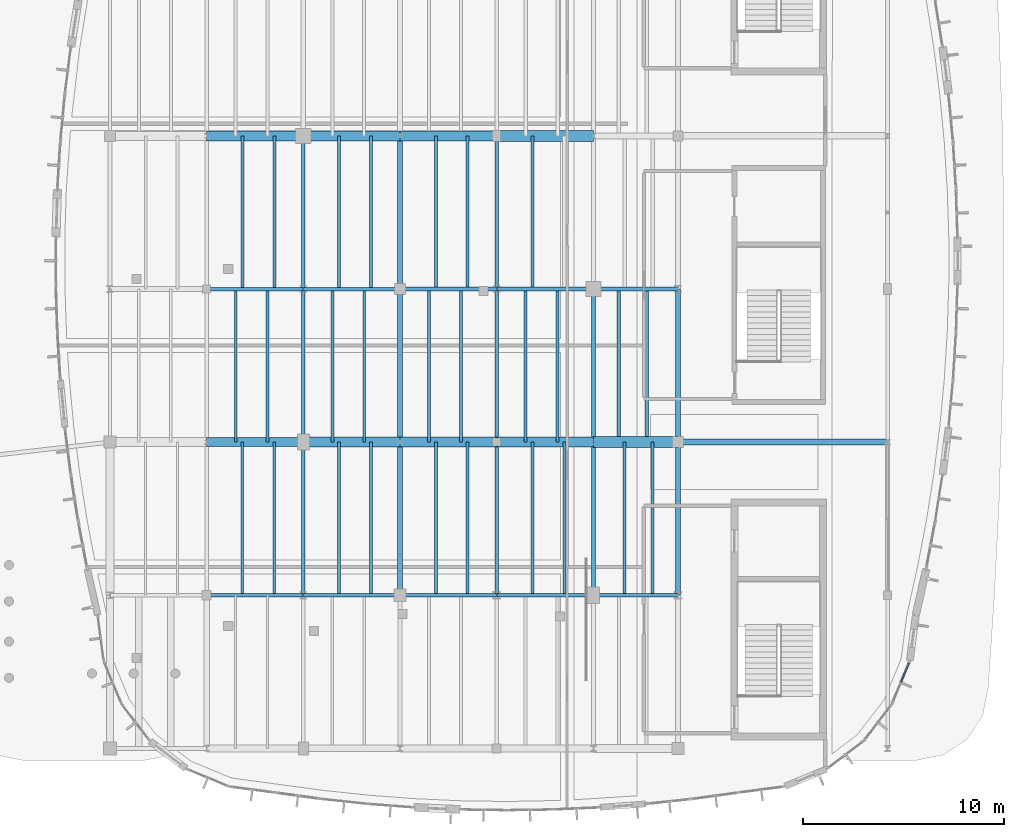
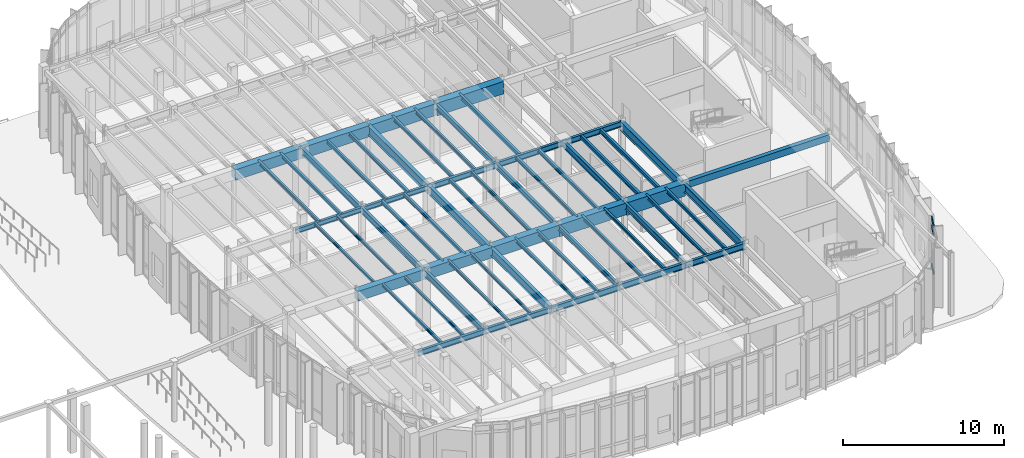
# One storey, part 58 of 120: 60 beams, 3 members, 1 element without a shape of its own.
"""IFC4 building model written with IfcOpenShell, lengths in metres."""

from ifc_helpers import new_model, si_unit, direction, frame, origin, origin_2d, place, context, subcontext, project, spatial, rectangle, i_section, extrude, material, material_profile, profile_set, type_object, element, aggregate, save


model = new_model("IFC4")

# Units and contexts
model_context = context("Model", 3, precision=1e-05, world=origin(), true_north=direction((0.0, 1.0)))
body_context = subcontext(model_context, "Body", "Model", "MODEL_VIEW")
ifc_project = project(units=[si_unit("LENGTHUNIT", "METRE"), si_unit("AREAUNIT", "SQUARE_METRE"), si_unit("VOLUMEUNIT", "CUBIC_METRE"), si_unit("PLANEANGLEUNIT", "RADIAN"), si_unit("MASSUNIT", "GRAM", prefix="KILO")], contexts=[model_context])

# Site, building, storey
site_placement = place(None, origin())
site = spatial("IfcSite", under=ifc_project, at=site_placement, CompositionType="ELEMENT")
building_placement = place(site_placement, origin())
building = spatial("IfcBuilding", under=site, at=building_placement, Name="Corveleigh Park Community Centre", CompositionType="ELEMENT")
storey_placement = place(building_placement, origin())
storey = spatial("IfcBuildingStorey", under=building, at=storey_placement, Name="L00", CompositionType="ELEMENT", Elevation=0.0)

# Beams
ifc_material_1 = material(Name="Concrete C40/50", Category="concrete")
ifc_material_profile_1 = material_profile(ifc_material_1, rectangle(XDim=0.300048828125, YDim=0.5, at=origin_2d()), Name="RC-300x500", Category="concrete")
ifc_profile_set_1 = profile_set([ifc_material_profile_1], Name="Concrete C40/50")
beam_type_1 = type_object("IfcBeamType", Name="BM-RC-300x500", PredefinedType="BEAM", material=ifc_profile_set_1)
beam_1_placement = place(storey_placement, frame((158.0048828125, 73.800048828125, 4.277099609375), z_axis=(1.0, 0.0, 0.0), x_axis=(0.0, 1.0, 0.0)))
element("IfcBeam", 1, at=beam_1_placement, inside=storey, type_object=beam_type_1, Name="V4 Girder X", PredefinedType="BEAM", context=body_context, shape_type="SweptSolid", body=[
    extrude(rectangle(XDim=0.300048828125, YDim=0.5, at=origin_2d()), origin(), (0.0, 0.0, 1.0), 10.39013671875),
])
ifc_material_profile_2 = material_profile(ifc_material_1, rectangle(XDim=0.449951171875, YDim=0.75, at=origin_2d()), Name="RC-450x750", Category="concrete")
ifc_profile_set_2 = profile_set([ifc_material_profile_2], Name="Concrete C40/50")
beam_type_2 = type_object("IfcBeamType", Name="BM-RC-450x750", PredefinedType="BEAM", material=ifc_profile_set_2)
beam_2_placement = place(storey_placement, frame((134.60498046875, 73.800048828125, 4.152099609375), z_axis=(1.0, 0.0, 0.0), x_axis=(0.0, 1.0, 0.0)))
element("IfcBeam", 2, at=beam_2_placement, inside=storey, type_object=beam_type_2, Name="V4 Girder X", PredefinedType="BEAM", context=body_context, shape_type="SweptSolid", body=[
    extrude(rectangle(XDim=0.449951171875, YDim=0.75, at=origin_2d()), origin(), (0.0, 0.0, 1.0), 4.7900390625),
])
ifc_material_profile_3 = material_profile(ifc_material_1, rectangle(XDim=0.5, YDim=0.800048828125, at=origin_2d()), Name="RC-500x800", Category="concrete")
ifc_profile_set_3 = profile_set([ifc_material_profile_3], Name="Concrete C40/50")
beam_type_3 = type_object("IfcBeamType", Name="BM-RC-500x800", PredefinedType="BEAM", material=ifc_profile_set_3)
for number, where, z_axis, x_axis, name in (
    (3, (139.405029296875, 73.800048828125, 4.126953125), (1.0, 0.0, 0.0), (0.0, 1.0, 0.0), "V4 Girder X"),
    (4, (134.60498046875, 89.0, 4.126953125), (1.0, 0.0, 0.0), (0.0, 1.0, 0.0), "V4 Girder X"),
):
    element("IfcBeam", number, at=place(storey_placement, frame(where, z_axis=z_axis, x_axis=x_axis)), inside=storey, type_object=beam_type_3, Name=name, PredefinedType="BEAM", context=body_context, shape_type="SweptSolid", body=[
        extrude(rectangle(XDim=0.5, YDim=0.800048828125, at=origin_2d()), origin(), (0.0, 0.0, 1.0), 4.7900390625),
    ])
ifc_material_profile_4 = material_profile(ifc_material_1, rectangle(XDim=0.5, YDim=0.85009765625, at=origin_2d()), Name="RC-500x850", Category="concrete")
ifc_profile_set_4 = profile_set([ifc_material_profile_4], Name="Concrete C40/50")
beam_type_4 = type_object("IfcBeamType", Name="BM-RC-500x850", PredefinedType="BEAM", material=ifc_profile_set_4)
for number, where, z_axis, x_axis, name in (
    (5, (144.205078125, 73.800048828125, 4.10205078125), (1.0, 0.0, 0.0), (0.0, 1.0, 0.0), "V4 Girder X"),
    (6, (139.405029296875, 89.0, 4.10205078125), (1.0, 0.0, 0.0), (0.0, 1.0, 0.0), "V4 Girder X"),
):
    element("IfcBeam", number, at=place(storey_placement, frame(where, z_axis=z_axis, x_axis=x_axis)), inside=storey, type_object=beam_type_4, Name=name, PredefinedType="BEAM", context=body_context, shape_type="SweptSolid", body=[
        extrude(rectangle(XDim=0.5, YDim=0.85009765625, at=origin_2d()), origin(), (0.0, 0.0, 1.0), 4.7900390625),
    ])
ifc_material_profile_5 = material_profile(ifc_material_1, rectangle(XDim=0.5, YDim=0.89990234375, at=origin_2d()), Name="RC-500x900", Category="concrete")
ifc_profile_set_5 = profile_set([ifc_material_profile_5], Name="Concrete C40/50")
beam_type_5 = type_object("IfcBeamType", Name="BM-RC-500x900", PredefinedType="BEAM", material=ifc_profile_set_5)
for number, where, z_axis, x_axis, name in (
    (7, (149.0048828125, 73.800048828125, 4.076904296875), (1.0, 0.0, 0.0), (0.0, 1.0, 0.0), "V4 Girder X"),
    (8, (144.205078125, 89.0, 4.076904296875), (1.0, 0.0, 0.0), (0.0, 1.0, 0.0), "V4 Girder X"),
):
    element("IfcBeam", number, at=place(storey_placement, frame(where, z_axis=z_axis, x_axis=x_axis)), inside=storey, type_object=beam_type_5, Name=name, PredefinedType="BEAM", context=body_context, shape_type="SweptSolid", body=[
        extrude(rectangle(XDim=0.5, YDim=0.89990234375, at=origin_2d()), origin(), (0.0, 0.0, 1.0), 4.7900390625),
    ])
ifc_material_profile_6 = material_profile(ifc_material_1, rectangle(XDim=0.550048828125, YDim=0.949951171875, at=origin_2d()), Name="RC-550x950", Category="concrete")
ifc_profile_set_6 = profile_set([ifc_material_profile_6], Name="Concrete C40/50")
beam_type_6 = type_object("IfcBeamType", Name="BM-RC-550x950", PredefinedType="BEAM", material=ifc_profile_set_6)
beam_3_placement = place(storey_placement, frame((153.804931640625, 73.800048828125, 4.052001953125), z_axis=(1.0, 0.0, 0.0), x_axis=(0.0, 1.0, 0.0)))
element("IfcBeam", 9, at=beam_3_placement, inside=storey, type_object=beam_type_6, Name="V4 Girder X", PredefinedType="BEAM", context=body_context, shape_type="SweptSolid", body=[
    extrude(rectangle(XDim=0.550048828125, YDim=0.949951171875, at=origin_2d()), origin(), (0.0, 0.0, 1.0), 4.190185546875),
])
beam_4_placement = place(storey_placement, frame((149.0048828125, 89.0, 4.052001953125), z_axis=(1.0, 0.0, 0.0), x_axis=(0.0, 1.0, 0.0)))
element("IfcBeam", 10, at=beam_4_placement, inside=storey, type_object=beam_type_6, Name="V4 Girder X", PredefinedType="BEAM", context=body_context, shape_type="SweptSolid", body=[
    extrude(rectangle(XDim=0.550048828125, YDim=0.949951171875, at=origin_2d()), origin(), (0.0, 0.0, 1.0), 4.7900390625),
])
ifc_material_2 = material(Name="Steel S355", Category="steel")
ifc_material_profile_7 = material_profile(ifc_material_2, i_section(OverallWidth=0.13330078125, OverallDepth=0.203125, WebThickness=0.005615234375, FlangeThickness=0.0078125, at=origin_2d()), Name="UKB 203x133x25", Category="steel")
ifc_profile_set_7 = profile_set([ifc_material_profile_7], Name="Steel S355")
beam_type_7 = type_object("IfcBeamType", Name="BM-STL-UKB203x25", PredefinedType="JOIST", material=ifc_profile_set_7)
for number, where, z_axis, x_axis, name in (
    (11, (136.3759765625, 66.205078125, 4.42529296875), (0.0, 1.0, 0.0), (-1.0, 0.0, 0.0), "Secondary floor joist"),
    (12, (137.9599609375, 66.205078125, 4.42529296875), (0.0, 1.0, 0.0), (-1.0, 0.0, 0.0), "Secondary floor joist"),
):
    element("IfcBeam", number, at=place(storey_placement, frame(where, z_axis=z_axis, x_axis=x_axis)), inside=storey, type_object=beam_type_7, Name=name, PredefinedType="JOIST", context=body_context, shape_type="SweptSolid", body=[
        extrude(i_section(OverallWidth=0.13330078125, OverallDepth=0.203125, WebThickness=0.005615234375, FlangeThickness=0.0078125, at=origin_2d()), origin(), (0.0, 0.0, 1.0), 7.58984375),
    ])
ifc_material_profile_8 = material_profile(ifc_material_2, i_section(OverallWidth=0.1337890625, OverallDepth=0.206787109375, WebThickness=0.00634765625, FlangeThickness=0.009521484375, at=origin_2d()), Name="UKB 203x133x30", Category="steel")
ifc_profile_set_8 = profile_set([ifc_material_profile_8], Name="Steel S355")
beam_type_8 = type_object("IfcBeamType", Name="BM-STL-UKB203x30", PredefinedType="JOIST", material=ifc_profile_set_8)
for number, where, z_axis, x_axis, name in (
    (13, (136.0400390625, 73.804931640625, 4.423583984375), (0.0, 1.0, 0.0), (-1.0, 0.0, 0.0), "Secondary floor joist"),
    (14, (137.6240234375, 73.804931640625, 4.423583984375), (0.0, 1.0, 0.0), (-1.0, 0.0, 0.0), "Secondary floor joist"),
):
    element("IfcBeam", number, at=place(storey_placement, frame(where, z_axis=z_axis, x_axis=x_axis)), inside=storey, type_object=beam_type_8, Name=name, PredefinedType="JOIST", context=body_context, shape_type="SweptSolid", body=[
        extrude(i_section(OverallWidth=0.1337890625, OverallDepth=0.206787109375, WebThickness=0.00634765625, FlangeThickness=0.009521484375, at=origin_2d()), origin(), (0.0, 0.0, 1.0), 7.590087890625),
    ])
for number, where, z_axis, x_axis, name in (
    (15, (141.176025390625, 66.205078125, 4.423583984375), (0.0, 1.0, 0.0), (-1.0, 0.0, 0.0), "Secondary floor joist"),
    (16, (142.760009765625, 66.205078125, 4.423583984375), (0.0, 1.0, 0.0), (-1.0, 0.0, 0.0), "Secondary floor joist"),
):
    element("IfcBeam", number, at=place(storey_placement, frame(where, z_axis=z_axis, x_axis=x_axis)), inside=storey, type_object=beam_type_8, Name=name, PredefinedType="JOIST", context=body_context, shape_type="SweptSolid", body=[
        extrude(i_section(OverallWidth=0.1337890625, OverallDepth=0.206787109375, WebThickness=0.00634765625, FlangeThickness=0.009521484375, at=origin_2d()), origin(), (0.0, 0.0, 1.0), 7.58984375),
    ])
ifc_material_profile_9 = material_profile(ifc_material_2, i_section(OverallWidth=0.14599609375, OverallDepth=0.25146484375, WebThickness=0.006103515625, FlangeThickness=0.008544921875, at=origin_2d()), Name="UKB 254x146x31", Category="steel")
ifc_profile_set_9 = profile_set([ifc_material_profile_9], Name="Steel S355")
beam_type_9 = type_object("IfcBeamType", Name="BM-STL-UKB254x31", PredefinedType="JOIST", material=ifc_profile_set_9)
for number, where, z_axis, x_axis, name in (
    (17, (136.3759765625, 81.405029296875, 4.4013671875), (0.0, 1.0, 0.0), (-1.0, 0.0, 0.0), "Secondary floor joist"),
    (18, (137.9599609375, 81.405029296875, 4.4013671875), (0.0, 1.0, 0.0), (-1.0, 0.0, 0.0), "Secondary floor joist"),
    (19, (140.840087890625, 73.804931640625, 4.4013671875), (0.0, 1.0, 0.0), (-1.0, 0.0, 0.0), "Secondary floor joist"),
    (20, (142.424072265625, 73.804931640625, 4.4013671875), (0.0, 1.0, 0.0), (-1.0, 0.0, 0.0), "Secondary floor joist"),
):
    element("IfcBeam", number, at=place(storey_placement, frame(where, z_axis=z_axis, x_axis=x_axis)), inside=storey, type_object=beam_type_9, Name=name, PredefinedType="JOIST", context=body_context, shape_type="SweptSolid", body=[
        extrude(i_section(OverallWidth=0.14599609375, OverallDepth=0.25146484375, WebThickness=0.006103515625, FlangeThickness=0.008544921875, at=origin_2d()), origin(), (0.0, 0.0, 1.0), 7.590087890625),
    ])
for number, where, z_axis, x_axis, name in (
    (21, (145.97607421875, 66.205078125, 4.4013671875), (0.0, 1.0, 0.0), (-1.0, 0.0, 0.0), "Secondary floor joist"),
    (22, (147.56005859375, 66.205078125, 4.4013671875), (0.0, 1.0, 0.0), (-1.0, 0.0, 0.0), "Secondary floor joist"),
):
    element("IfcBeam", number, at=place(storey_placement, frame(where, z_axis=z_axis, x_axis=x_axis)), inside=storey, type_object=beam_type_9, Name=name, PredefinedType="JOIST", context=body_context, shape_type="SweptSolid", body=[
        extrude(i_section(OverallWidth=0.14599609375, OverallDepth=0.25146484375, WebThickness=0.006103515625, FlangeThickness=0.008544921875, at=origin_2d()), origin(), (0.0, 0.0, 1.0), 7.58984375),
    ])
ifc_material_profile_10 = material_profile(ifc_material_2, i_section(OverallWidth=0.146484375, OverallDepth=0.256103515625, WebThickness=0.00634765625, FlangeThickness=0.010986328125, at=origin_2d()), Name="UKB 254x146x37", Category="steel")
ifc_profile_set_10 = profile_set([ifc_material_profile_10], Name="Steel S355")
beam_type_10 = type_object("IfcBeamType", Name="BM-STL-UKB254x37", PredefinedType="JOIST", material=ifc_profile_set_10)
for number, where, z_axis, x_axis, name in (
    (23, (141.176025390625, 81.405029296875, 4.39892578125), (0.0, 1.0, 0.0), (-1.0, 0.0, 0.0), "Secondary floor joist"),
    (24, (142.760009765625, 81.405029296875, 4.39892578125), (0.0, 1.0, 0.0), (-1.0, 0.0, 0.0), "Secondary floor joist"),
    (25, (145.639892578125, 73.804931640625, 4.39892578125), (0.0, 1.0, 0.0), (-1.0, 0.0, 0.0), "Secondary floor joist"),
    (26, (147.22412109375, 73.804931640625, 4.39892578125), (0.0, 1.0, 0.0), (-1.0, 0.0, 0.0), "Secondary floor joist"),
):
    element("IfcBeam", number, at=place(storey_placement, frame(where, z_axis=z_axis, x_axis=x_axis)), inside=storey, type_object=beam_type_10, Name=name, PredefinedType="JOIST", context=body_context, shape_type="SweptSolid", body=[
        extrude(i_section(OverallWidth=0.146484375, OverallDepth=0.256103515625, WebThickness=0.00634765625, FlangeThickness=0.010986328125, at=origin_2d()), origin(), (0.0, 0.0, 1.0), 7.590087890625),
    ])
for number, where, z_axis, x_axis, name in (
    (27, (150.77587890625, 66.205078125, 4.39892578125), (0.0, 1.0, 0.0), (-1.0, 0.0, 0.0), "Secondary floor joist"),
    (28, (152.360107421875, 66.205078125, 4.39892578125), (0.0, 1.0, 0.0), (-1.0, 0.0, 0.0), "Secondary floor joist"),
):
    element("IfcBeam", number, at=place(storey_placement, frame(where, z_axis=z_axis, x_axis=x_axis)), inside=storey, type_object=beam_type_10, Name=name, PredefinedType="JOIST", context=body_context, shape_type="SweptSolid", body=[
        extrude(i_section(OverallWidth=0.146484375, OverallDepth=0.256103515625, WebThickness=0.00634765625, FlangeThickness=0.010986328125, at=origin_2d()), origin(), (0.0, 0.0, 1.0), 7.58984375),
    ])
ifc_material_profile_11 = material_profile(ifc_material_2, i_section(OverallWidth=0.147216796875, OverallDepth=0.259521484375, WebThickness=0.007080078125, FlangeThickness=0.0126953125, at=origin_2d()), Name="UKB 254x146x43", Category="steel")
ifc_profile_set_11 = profile_set([ifc_material_profile_11], Name="Steel S355")
beam_type_11 = type_object("IfcBeamType", Name="BM-STL-UKB254x43", PredefinedType="JOIST", material=ifc_profile_set_11)
for number, where, z_axis, x_axis, name in (
    (29, (145.97607421875, 81.405029296875, 4.397216796875), (0.0, 1.0, 0.0), (-1.0, 0.0, 0.0), "Secondary floor joist"),
    (30, (147.56005859375, 81.405029296875, 4.397216796875), (0.0, 1.0, 0.0), (-1.0, 0.0, 0.0), "Secondary floor joist"),
    (31, (150.43994140625, 73.804931640625, 4.397216796875), (0.0, 1.0, 0.0), (-1.0, 0.0, 0.0), "Secondary floor joist"),
    (32, (152.02392578125, 73.804931640625, 4.397216796875), (0.0, 1.0, 0.0), (-1.0, 0.0, 0.0), "Secondary floor joist"),
):
    element("IfcBeam", number, at=place(storey_placement, frame(where, z_axis=z_axis, x_axis=x_axis)), inside=storey, type_object=beam_type_11, Name=name, PredefinedType="JOIST", context=body_context, shape_type="SweptSolid", body=[
        extrude(i_section(OverallWidth=0.147216796875, OverallDepth=0.259521484375, WebThickness=0.007080078125, FlangeThickness=0.0126953125, at=origin_2d()), origin(), (0.0, 0.0, 1.0), 7.590087890625),
    ])
for number, where, z_axis, x_axis, name in (
    (33, (155.35400390625, 66.205078125, 4.397216796875), (0.0, 1.0, 0.0), (-1.0, 0.0, 0.0), "Secondary floor joist"),
    (34, (156.739990234375, 66.205078125, 4.397216796875), (0.0, 1.0, 0.0), (-1.0, 0.0, 0.0), "Secondary floor joist"),
):
    element("IfcBeam", number, at=place(storey_placement, frame(where, z_axis=z_axis, x_axis=x_axis)), inside=storey, type_object=beam_type_11, Name=name, PredefinedType="JOIST", context=body_context, shape_type="SweptSolid", body=[
        extrude(i_section(OverallWidth=0.147216796875, OverallDepth=0.259521484375, WebThickness=0.007080078125, FlangeThickness=0.0126953125, at=origin_2d()), origin(), (0.0, 0.0, 1.0), 7.58984375),
    ])
ifc_material_profile_12 = material_profile(ifc_material_2, i_section(OverallWidth=0.1650390625, OverallDepth=0.303466796875, WebThickness=0.006103515625, FlangeThickness=0.01025390625, at=origin_2d()), Name="UKB 305x165x40", Category="steel")
ifc_profile_set_12 = profile_set([ifc_material_profile_12], Name="Steel S355")
beam_type_12 = type_object("IfcBeamType", Name="BM-STL-UKB305x40", PredefinedType="JOIST", material=ifc_profile_set_12)
for number, where, z_axis, x_axis, name in (
    (35, (150.77587890625, 81.405029296875, 4.375244140625), (0.0, 1.0, 0.0), (-1.0, 0.0, 0.0), "Secondary floor joist"),
    (36, (155.06005859375, 73.804931640625, 4.375244140625), (0.0, 1.0, 0.0), (-1.0, 0.0, 0.0), "Secondary floor joist"),
    (37, (156.446044921875, 73.804931640625, 4.375244140625), (0.0, 1.0, 0.0), (-1.0, 0.0, 0.0), "Secondary floor joist"),
):
    element("IfcBeam", number, at=place(storey_placement, frame(where, z_axis=z_axis, x_axis=x_axis)), inside=storey, type_object=beam_type_12, Name=name, PredefinedType="JOIST", context=body_context, shape_type="SweptSolid", body=[
        extrude(i_section(OverallWidth=0.1650390625, OverallDepth=0.303466796875, WebThickness=0.006103515625, FlangeThickness=0.01025390625, at=origin_2d()), origin(), (0.0, 0.0, 1.0), 7.590087890625),
    ])
ifc_material_profile_13 = material_profile(ifc_material_2, i_section(OverallWidth=0.172119140625, OverallDepth=0.35791015625, WebThickness=0.008056640625, FlangeThickness=0.012939453125, at=origin_2d()), Name="UKB 356x171x57", Category="steel")
ifc_profile_set_13 = profile_set([ifc_material_profile_13], Name="Steel S355")
beam_type_13 = type_object("IfcBeamType", Name="BM-STL-UKB356x57", PredefinedType="BEAM", material=ifc_profile_set_13)
beam_5_placement = place(storey_placement, frame((134.60498046875, 81.39990234375, 4.347900390625), z_axis=(1.0, 0.0, 0.0), x_axis=(0.0, 1.0, 0.0)))
element("IfcBeam", 38, at=beam_5_placement, inside=storey, type_object=beam_type_13, Name="V4 Girder X", PredefinedType="BEAM", context=body_context, shape_type="SweptSolid", body=[
    extrude(i_section(OverallWidth=0.172119140625, OverallDepth=0.35791015625, WebThickness=0.008056640625, FlangeThickness=0.012939453125, at=origin_2d()), origin(), (0.0, 0.0, 1.0), 4.7900390625),
])
ifc_material_profile_14 = material_profile(ifc_material_2, i_section(OverallWidth=0.173095703125, OverallDepth=0.36328125, WebThickness=0.009033203125, FlangeThickness=0.015625, at=origin_2d()), Name="UKB 356x171x67", Category="steel")
ifc_profile_set_14 = profile_set([ifc_material_profile_14], Name="Steel S355")
beam_type_14 = type_object("IfcBeamType", Name="BM-STL-UKB356x67", PredefinedType="BEAM", material=ifc_profile_set_14)
beam_6_placement = place(storey_placement, frame((139.405029296875, 81.39990234375, 4.34521484375), z_axis=(1.0, 0.0, 0.0), x_axis=(0.0, 1.0, 0.0)))
element("IfcBeam", 39, at=beam_6_placement, inside=storey, type_object=beam_type_14, Name="V4 Girder X", PredefinedType="BEAM", context=body_context, shape_type="SweptSolid", body=[
    extrude(i_section(OverallWidth=0.173095703125, OverallDepth=0.36328125, WebThickness=0.009033203125, FlangeThickness=0.015625, at=origin_2d()), origin(), (0.0, 0.0, 1.0), 4.7900390625),
])
beam_7_placement = place(storey_placement, frame((149.0, 66.205078125, 4.34521484375), z_axis=(0.0, 1.0, 0.0), x_axis=(-1.0, 0.0, 0.0)))
element("IfcBeam", 40, at=beam_7_placement, inside=storey, type_object=beam_type_14, Name="V4 Girder Y", PredefinedType="BEAM", context=body_context, shape_type="SweptSolid", body=[
    extrude(i_section(OverallWidth=0.173095703125, OverallDepth=0.36328125, WebThickness=0.009033203125, FlangeThickness=0.015625, at=origin_2d()), origin(), (0.0, 0.0, 1.0), 7.58984375),
])
ifc_material_profile_15 = material_profile(ifc_material_2, i_section(OverallWidth=0.177978515625, OverallDepth=0.406494140625, WebThickness=0.0078125, FlangeThickness=0.0126953125, at=origin_2d()), Name="UKB 406x178x60", Category="steel")
ifc_profile_set_15 = profile_set([ifc_material_profile_15], Name="Steel S355")
beam_type_15 = type_object("IfcBeamType", Name="BM-STL-UKB406x60", PredefinedType="BEAM", material=ifc_profile_set_15)
beam_8_placement = place(storey_placement, frame((144.205078125, 81.39990234375, 4.32373046875), z_axis=(1.0, 0.0, 0.0), x_axis=(0.0, 1.0, 0.0)))
element("IfcBeam", 41, at=beam_8_placement, inside=storey, type_object=beam_type_15, Name="V4 Girder X", PredefinedType="BEAM", context=body_context, shape_type="SweptSolid", body=[
    extrude(i_section(OverallWidth=0.177978515625, OverallDepth=0.406494140625, WebThickness=0.0078125, FlangeThickness=0.0126953125, at=origin_2d()), origin(), (0.0, 0.0, 1.0), 4.7900390625),
])
beam_9_placement = place(storey_placement, frame((149.0, 73.804931640625, 4.32373046875), z_axis=(0.0, 1.0, 0.0), x_axis=(-1.0, 0.0, 0.0)))
element("IfcBeam", 42, at=beam_9_placement, inside=storey, type_object=beam_type_15, Name="V4 Girder Y", PredefinedType="BEAM", context=body_context, shape_type="SweptSolid", body=[
    extrude(i_section(OverallWidth=0.177978515625, OverallDepth=0.406494140625, WebThickness=0.0078125, FlangeThickness=0.0126953125, at=origin_2d()), origin(), (0.0, 0.0, 1.0), 7.590087890625),
])
ifc_material_profile_16 = material_profile(ifc_material_2, i_section(OverallWidth=0.1787109375, OverallDepth=0.409423828125, WebThickness=0.0087890625, FlangeThickness=0.014404296875, at=origin_2d()), Name="UKB 406x178x67", Category="steel")
ifc_profile_set_16 = profile_set([ifc_material_profile_16], Name="Steel S355")
beam_type_16 = type_object("IfcBeamType", Name="BM-STL-UKB406x67", PredefinedType="BEAM", material=ifc_profile_set_16)
for number, where, z_axis, x_axis, name in (
    (43, (134.60498046875, 66.199951171875, 4.322265625), (1.0, 0.0, 0.0), (0.0, 1.0, 0.0), "V4 Girder X"),
    (44, (149.0048828125, 81.39990234375, 4.322265625), (1.0, 0.0, 0.0), (0.0, 1.0, 0.0), "V4 Girder X"),
):
    element("IfcBeam", number, at=place(storey_placement, frame(where, z_axis=z_axis, x_axis=x_axis)), inside=storey, type_object=beam_type_16, Name=name, PredefinedType="BEAM", context=body_context, shape_type="SweptSolid", body=[
        extrude(i_section(OverallWidth=0.1787109375, OverallDepth=0.409423828125, WebThickness=0.0087890625, FlangeThickness=0.014404296875, at=origin_2d()), origin(), (0.0, 0.0, 1.0), 4.7900390625),
    ])
beam_10_placement = place(storey_placement, frame((149.0, 81.405029296875, 4.322265625), z_axis=(0.0, 1.0, 0.0), x_axis=(-1.0, 0.0, 0.0)))
element("IfcBeam", 45, at=beam_10_placement, inside=storey, type_object=beam_type_16, Name="V4 Girder Y", PredefinedType="BEAM", context=body_context, shape_type="SweptSolid", body=[
    extrude(i_section(OverallWidth=0.1787109375, OverallDepth=0.409423828125, WebThickness=0.0087890625, FlangeThickness=0.014404296875, at=origin_2d()), origin(), (0.0, 0.0, 1.0), 7.590087890625),
])
ifc_material_profile_17 = material_profile(ifc_material_2, i_section(OverallWidth=0.179443359375, OverallDepth=0.412841796875, WebThickness=0.009521484375, FlangeThickness=0.01611328125, at=origin_2d()), Name="UKB 406x178x74", Category="steel")
ifc_profile_set_17 = profile_set([ifc_material_profile_17], Name="Steel S355")
beam_type_17 = type_object("IfcBeamType", Name="BM-STL-UKB406x74", PredefinedType="BEAM", material=ifc_profile_set_17)
beam_11_placement = place(storey_placement, frame((139.405029296875, 66.199951171875, 4.320556640625), z_axis=(1.0, 0.0, 0.0), x_axis=(0.0, 1.0, 0.0)))
element("IfcBeam", 46, at=beam_11_placement, inside=storey, type_object=beam_type_17, Name="V4 Girder X", PredefinedType="BEAM", context=body_context, shape_type="SweptSolid", body=[
    extrude(i_section(OverallWidth=0.179443359375, OverallDepth=0.412841796875, WebThickness=0.009521484375, FlangeThickness=0.01611328125, at=origin_2d()), origin(), (0.0, 0.0, 1.0), 4.7900390625),
])
beam_12_placement = place(storey_placement, frame((153.804931640625, 81.39990234375, 4.320556640625), z_axis=(1.0, 0.0, 0.0), x_axis=(0.0, 1.0, 0.0)))
element("IfcBeam", 47, at=beam_12_placement, inside=storey, type_object=beam_type_17, Name="V4 Girder X", PredefinedType="BEAM", context=body_context, shape_type="SweptSolid", body=[
    extrude(i_section(OverallWidth=0.179443359375, OverallDepth=0.412841796875, WebThickness=0.009521484375, FlangeThickness=0.01611328125, at=origin_2d()), origin(), (0.0, 0.0, 1.0), 4.190185546875),
])
ifc_material_profile_18 = material_profile(ifc_material_2, i_section(OverallWidth=0.18994140625, OverallDepth=0.453369140625, WebThickness=0.008544921875, FlangeThickness=0.0126953125, at=origin_2d()), Name="UKB 457x191x67", Category="steel")
ifc_profile_set_18 = profile_set([ifc_material_profile_18], Name="Steel S355")
beam_type_18 = type_object("IfcBeamType", Name="BM-STL-UKB457x67", PredefinedType="BEAM", material=ifc_profile_set_18)
beam_13_placement = place(storey_placement, frame((144.205078125, 66.199951171875, 4.30029296875), z_axis=(1.0, 0.0, 0.0), x_axis=(0.0, 1.0, 0.0)))
element("IfcBeam", 48, at=beam_13_placement, inside=storey, type_object=beam_type_18, Name="V4 Girder X", PredefinedType="BEAM", context=body_context, shape_type="SweptSolid", body=[
    extrude(i_section(OverallWidth=0.18994140625, OverallDepth=0.453369140625, WebThickness=0.008544921875, FlangeThickness=0.0126953125, at=origin_2d()), origin(), (0.0, 0.0, 1.0), 4.7900390625),
])
ifc_material_profile_19 = material_profile(ifc_material_2, i_section(OverallWidth=0.1904296875, OverallDepth=0.45703125, WebThickness=0.009033203125, FlangeThickness=0.014404296875, at=origin_2d()), Name="UKB 457x191x74", Category="steel")
ifc_profile_set_19 = profile_set([ifc_material_profile_19], Name="Steel S355")
beam_type_19 = type_object("IfcBeamType", Name="BM-STL-UKB457x74", PredefinedType="BEAM", material=ifc_profile_set_19)
beam_14_placement = place(storey_placement, frame((149.0048828125, 66.199951171875, 4.298583984375), z_axis=(1.0, 0.0, 0.0), x_axis=(0.0, 1.0, 0.0)))
element("IfcBeam", 49, at=beam_14_placement, inside=storey, type_object=beam_type_19, Name="V4 Girder X", PredefinedType="BEAM", context=body_context, shape_type="SweptSolid", body=[
    extrude(i_section(OverallWidth=0.1904296875, OverallDepth=0.45703125, WebThickness=0.009033203125, FlangeThickness=0.014404296875, at=origin_2d()), origin(), (0.0, 0.0, 1.0), 4.7900390625),
])
beam_15_placement = place(storey_placement, frame((139.39990234375, 66.205078125, 4.298583984375), z_axis=(0.0, 1.0, 0.0), x_axis=(-1.0, 0.0, 0.0)))
element("IfcBeam", 50, at=beam_15_placement, inside=storey, type_object=beam_type_19, Name="V4 Girder Y", PredefinedType="BEAM", context=body_context, shape_type="SweptSolid", body=[
    extrude(i_section(OverallWidth=0.1904296875, OverallDepth=0.45703125, WebThickness=0.009033203125, FlangeThickness=0.014404296875, at=origin_2d()), origin(), (0.0, 0.0, 1.0), 7.58984375),
])
ifc_material_profile_20 = material_profile(ifc_material_2, i_section(OverallWidth=0.19140625, OverallDepth=0.4599609375, WebThickness=0.010009765625, FlangeThickness=0.01611328125, at=origin_2d()), Name="UKB 457x191x82", Category="steel")
ifc_profile_set_20 = profile_set([ifc_material_profile_20], Name="Steel S355")
beam_type_20 = type_object("IfcBeamType", Name="BM-STL-UKB457x82", PredefinedType="BEAM", material=ifc_profile_set_20)
beam_16_placement = place(storey_placement, frame((153.804931640625, 66.199951171875, 4.297119140625), z_axis=(1.0, 0.0, 0.0), x_axis=(0.0, 1.0, 0.0)))
element("IfcBeam", 51, at=beam_16_placement, inside=storey, type_object=beam_type_20, Name="V4 Girder X", PredefinedType="BEAM", context=body_context, shape_type="SweptSolid", body=[
    extrude(i_section(OverallWidth=0.19140625, OverallDepth=0.4599609375, WebThickness=0.010009765625, FlangeThickness=0.01611328125, at=origin_2d()), origin(), (0.0, 0.0, 1.0), 4.190185546875),
])
beam_17_placement = place(storey_placement, frame((139.39990234375, 73.804931640625, 4.297119140625), z_axis=(0.0, 1.0, 0.0), x_axis=(-1.0, 0.0, 0.0)))
element("IfcBeam", 52, at=beam_17_placement, inside=storey, type_object=beam_type_20, Name="V4 Girder Y", PredefinedType="BEAM", context=body_context, shape_type="SweptSolid", body=[
    extrude(i_section(OverallWidth=0.19140625, OverallDepth=0.4599609375, WebThickness=0.010009765625, FlangeThickness=0.01611328125, at=origin_2d()), origin(), (0.0, 0.0, 1.0), 7.590087890625),
])
beam_18_placement = place(storey_placement, frame((153.800048828125, 66.205078125, 4.297119140625), z_axis=(0.0, 1.0, 0.0), x_axis=(-1.0, 0.0, 0.0)))
element("IfcBeam", 53, at=beam_18_placement, inside=storey, type_object=beam_type_20, Name="V4 Girder Y", PredefinedType="BEAM", context=body_context, shape_type="SweptSolid", body=[
    extrude(i_section(OverallWidth=0.19140625, OverallDepth=0.4599609375, WebThickness=0.010009765625, FlangeThickness=0.01611328125, at=origin_2d()), origin(), (0.0, 0.0, 1.0), 7.58984375),
])
ifc_material_profile_21 = material_profile(ifc_material_2, i_section(OverallWidth=0.19189453125, OverallDepth=0.46337890625, WebThickness=0.010498046875, FlangeThickness=0.017578125, at=origin_2d()), Name="UKB 457x191x89", Category="steel")
ifc_profile_set_21 = profile_set([ifc_material_profile_21], Name="Steel S355")
beam_type_21 = type_object("IfcBeamType", Name="BM-STL-UKB457x89", PredefinedType="BEAM", material=ifc_profile_set_21)
for number, where, z_axis, x_axis, name in (
    (54, (139.39990234375, 81.405029296875, 4.29541015625), (0.0, 1.0, 0.0), (-1.0, 0.0, 0.0), "V4 Girder Y"),
    (55, (153.800048828125, 73.804931640625, 4.29541015625), (0.0, 1.0, 0.0), (-1.0, 0.0, 0.0), "V4 Girder Y"),
):
    element("IfcBeam", number, at=place(storey_placement, frame(where, z_axis=z_axis, x_axis=x_axis)), inside=storey, type_object=beam_type_21, Name=name, PredefinedType="BEAM", context=body_context, shape_type="SweptSolid", body=[
        extrude(i_section(OverallWidth=0.19189453125, OverallDepth=0.46337890625, WebThickness=0.010498046875, FlangeThickness=0.017578125, at=origin_2d()), origin(), (0.0, 0.0, 1.0), 7.590087890625),
    ])
ifc_material_profile_22 = material_profile(ifc_material_2, i_section(OverallWidth=0.228271484375, OverallDepth=0.607666015625, WebThickness=0.010986328125, FlangeThickness=0.017333984375, at=origin_2d()), Name="UKB 610x229x113", Category="steel")
ifc_profile_set_22 = profile_set([ifc_material_profile_22], Name="Steel S355")
beam_type_22 = type_object("IfcBeamType", Name="BM-STL-UKB610x113", PredefinedType="BEAM", material=ifc_profile_set_22)
beam_19_placement = place(storey_placement, frame((144.199951171875, 66.205078125, 4.22314453125), z_axis=(0.0, 1.0, 0.0), x_axis=(-1.0, 0.0, 0.0)))
element("IfcBeam", 56, at=beam_19_placement, inside=storey, type_object=beam_type_22, Name="V4 Girder Y", PredefinedType="BEAM", context=body_context, shape_type="SweptSolid", body=[
    extrude(i_section(OverallWidth=0.228271484375, OverallDepth=0.607666015625, WebThickness=0.010986328125, FlangeThickness=0.017333984375, at=origin_2d()), origin(), (0.0, 0.0, 1.0), 7.58984375),
])
ifc_material_profile_23 = material_profile(ifc_material_2, i_section(OverallWidth=0.22900390625, OverallDepth=0.6123046875, WebThickness=0.011962890625, FlangeThickness=0.01953125, at=origin_2d()), Name="UKB 610x229x125", Category="steel")
ifc_profile_set_23 = profile_set([ifc_material_profile_23], Name="Steel S355")
beam_type_23 = type_object("IfcBeamType", Name="BM-STL-UKB610x125", PredefinedType="BEAM", material=ifc_profile_set_23)
beam_20_placement = place(storey_placement, frame((144.199951171875, 73.804931640625, 4.220947265625), z_axis=(0.0, 1.0, 0.0), x_axis=(-1.0, 0.0, 0.0)))
element("IfcBeam", 57, at=beam_20_placement, inside=storey, type_object=beam_type_23, Name="V4 Girder Y", PredefinedType="BEAM", context=body_context, shape_type="SweptSolid", body=[
    extrude(i_section(OverallWidth=0.22900390625, OverallDepth=0.6123046875, WebThickness=0.011962890625, FlangeThickness=0.01953125, at=origin_2d()), origin(), (0.0, 0.0, 1.0), 7.590087890625),
])
beam_21_placement = place(storey_placement, frame((158.0, 66.205078125, 4.220947265625), z_axis=(0.0, 1.0, 0.0), x_axis=(-1.0, 0.0, 0.0)))
element("IfcBeam", 58, at=beam_21_placement, inside=storey, type_object=beam_type_23, Name="V4 Girder Y", PredefinedType="BEAM", context=body_context, shape_type="SweptSolid", body=[
    extrude(i_section(OverallWidth=0.22900390625, OverallDepth=0.6123046875, WebThickness=0.011962890625, FlangeThickness=0.01953125, at=origin_2d()), origin(), (0.0, 0.0, 1.0), 7.58984375),
])
ifc_material_profile_24 = material_profile(ifc_material_2, i_section(OverallWidth=0.253662109375, OverallDepth=0.68359375, WebThickness=0.012451171875, FlangeThickness=0.01904296875, at=origin_2d()), Name="UKB 686x254x140", Category="steel")
ifc_profile_set_24 = profile_set([ifc_material_profile_24], Name="Steel S355")
beam_type_24 = type_object("IfcBeamType", Name="BM-STL-UKB686x140", PredefinedType="BEAM", material=ifc_profile_set_24)
for number, where, z_axis, x_axis, name in (
    (59, (144.199951171875, 81.405029296875, 4.185302734375), (0.0, 1.0, 0.0), (-1.0, 0.0, 0.0), "V4 Girder Y"),
    (60, (158.0, 73.804931640625, 4.185302734375), (0.0, 1.0, 0.0), (-1.0, 0.0, 0.0), "V4 Girder Y"),
):
    element("IfcBeam", number, at=place(storey_placement, frame(where, z_axis=z_axis, x_axis=x_axis)), inside=storey, type_object=beam_type_24, Name=name, PredefinedType="BEAM", context=body_context, shape_type="SweptSolid", body=[
        extrude(i_section(OverallWidth=0.253662109375, OverallDepth=0.68359375, WebThickness=0.012451171875, FlangeThickness=0.01904296875, at=origin_2d()), origin(), (0.0, 0.0, 1.0), 7.590087890625),
    ])

# Curtain wall, members
ifc_material_3 = material(Name="Anodised aluminium 6063-T6", Category="aluminium")
curtain_wall_type = type_object("IfcCurtainWallType", Name="CW-SYS-V4-L00", PredefinedType="NOTDEFINED", material=ifc_material_3)
curtain_wall_placement = place(storey_placement, origin())
curtain_wall = element("IfcCurtainWall", 61, at=curtain_wall_placement, inside=storey, type_object=curtain_wall_type, Name="V4 L00 Curtain Wall 119", PredefinedType="NOTDEFINED")
ifc_material_profile_25 = material_profile(ifc_material_3, rectangle(XDim=0.074951171875, YDim=0.175048828125, at=origin_2d()), Name="ALU-T75x175", Category="aluminium")
ifc_profile_set_25 = profile_set([ifc_material_profile_25], Name="Anodised aluminium 6063-T6")
member_type = type_object("IfcMemberType", Name="CWT-75x175", PredefinedType="USERDEFINED", material=ifc_profile_set_25)
member_1_placement = place(storey_placement, frame((169.457275390625, 62.818115234375, 0.89990234375), z_axis=(-0.382856879631, -0.923807669225, 0.0), x_axis=(0.923807669225, -0.382856879631, 0.0)))
member_1 = element("IfcMember", 62, at=member_1_placement, type_object=member_type, Name="CW07 transom 1.2", ObjectType="TRANSOM", PredefinedType="USERDEFINED", context=body_context, shape_type="SweptSolid", body=[
    extrude(rectangle(XDim=0.074951171875, YDim=0.175048828125, at=origin_2d()), origin(), (0.0, 0.0, 1.0), 0.99609375),
])
member_2_placement = place(storey_placement, frame((169.457275390625, 62.818115234375, 3.862060546875), z_axis=(-0.382856879631, -0.923807669225, 0.0), x_axis=(0.923807669225, -0.382856879631, 0.0)))
member_2 = element("IfcMember", 63, at=member_2_placement, type_object=member_type, Name="CW07 transom 1.3", ObjectType="TRANSOM", PredefinedType="USERDEFINED", context=body_context, shape_type="SweptSolid", body=[
    extrude(rectangle(XDim=0.074951171875, YDim=0.175048828125, at=origin_2d()), origin(), (0.0, 0.0, 1.0), 0.99609375),
])
member_3_placement = place(storey_placement, frame((169.457275390625, 62.818115234375, 4.474609375), z_axis=(-0.382856879631, -0.923807669225, 0.0), x_axis=(0.923807669225, -0.382856879631, 0.0)))
member_3 = element("IfcMember", 64, at=member_3_placement, type_object=member_type, Name="CW07 transom 1.4", ObjectType="TRANSOM", PredefinedType="USERDEFINED", context=body_context, shape_type="SweptSolid", body=[
    extrude(rectangle(XDim=0.074951171875, YDim=0.175048828125, at=origin_2d()), origin(), (0.0, 0.0, 1.0), 0.99609375),
])
aggregate(curtain_wall, [member_1, member_2, member_3])

save(model, "model.ifc")
